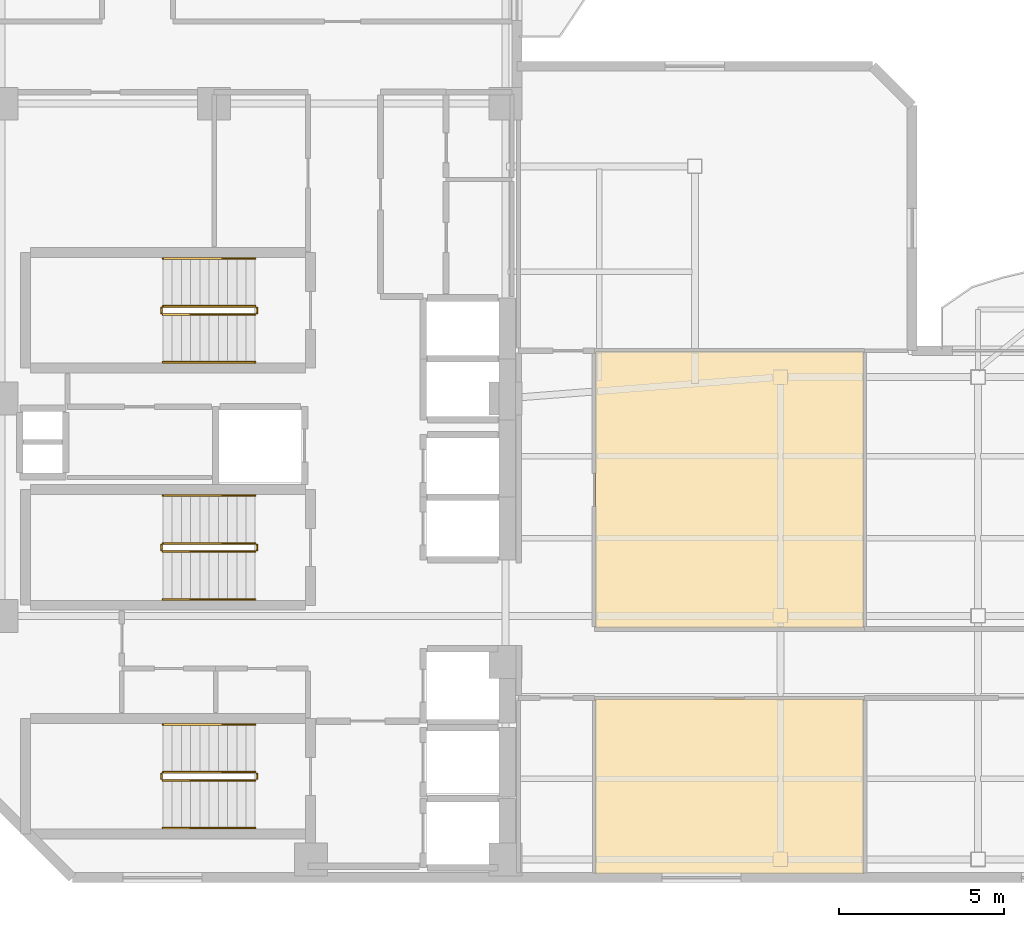
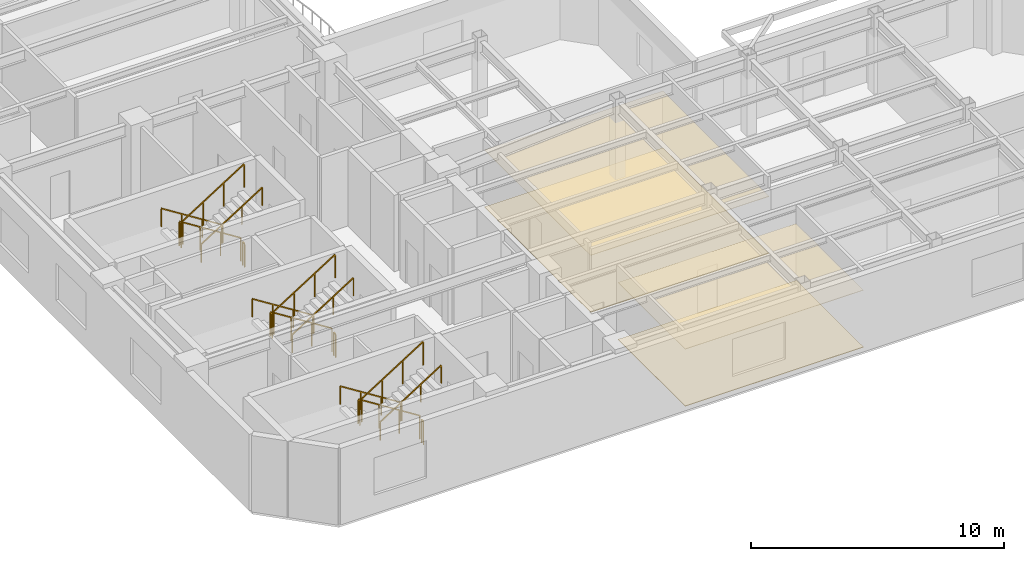
# One storey, part 7 of 9: 18 railings, 4 coverings.
"""IFC4 building model written with IfcOpenShell, lengths in metres."""

from ifc_helpers import new_model, si_unit, direction, frame, origin, origin_2d, place, context, subcontext, project, spatial, polyline, rectangle, outline, extrude, material, layer, layer_set, type_object, element, save


model = new_model("IFC4")

# Units and contexts
model_context = context("Model", 3, precision=1e-05, world=origin(), true_north=direction((0.0, 1.0)))
body_context = subcontext(model_context, "Body", "Model", "MODEL_VIEW")
ifc_project = project(units=[si_unit("LENGTHUNIT", "METRE"), si_unit("AREAUNIT", "SQUARE_METRE"), si_unit("VOLUMEUNIT", "CUBIC_METRE"), si_unit("PLANEANGLEUNIT", "RADIAN"), si_unit("MASSUNIT", "GRAM", prefix="KILO")], contexts=[model_context])

# Site, building, storey
site_placement = place(None, origin())
site = spatial("IfcSite", under=ifc_project, at=site_placement, CompositionType="ELEMENT")
building_placement = place(site_placement, origin())
building = spatial("IfcBuilding", under=site, at=building_placement, Name="Mawjaban Terraces University", CompositionType="ELEMENT")
storey_placement = place(building_placement, frame((0.0, 0.0, 179.699951171875)))
storey = spatial("IfcBuildingStorey", under=building, at=storey_placement, Name="L43", CompositionType="ELEMENT", Elevation=179.699951171875)

# Coverings
ifc_material_1 = material(Name="Acoustic mineral fibre ceiling tile", Category="masonry")
ifc_layer_1 = layer(ifc_material_1, 0.02001953125)
ifc_layer_set_1 = layer_set([ifc_layer_1], Name="Acoustic mineral fibre ceiling tile")
covering_type_1 = type_object("IfcCoveringType", Name="AcousticMineralCeiling_20", PredefinedType="CEILING", material=ifc_layer_set_1)
covering_1_placement = place(storey_placement, frame((0.0, 0.0, 2.75)))
element("IfcCovering", 1, at=covering_1_placement, inside=storey, type_object=covering_type_1, Name="L43 Seminar Room 2 Acoustic Ceiling", PredefinedType="CEILING", context=body_context, shape_type="SweptSolid", body=[
    extrude(outline(polyline([(40.3798828125, 0.114990234375), (48.52001953125, 0.114990234375), (48.52001953125, 5.419921875), (40.3798828125, 5.419921875), (40.3798828125, 0.114990234375)])), origin(), (0.0, 0.0, 1.0), 0.02001953125),
])
covering_2_placement = place(storey_placement, frame((0.0, 0.0, 2.75)))
element("IfcCovering", 2, at=covering_2_placement, inside=storey, type_object=covering_type_1, Name="L43 Classroom 3 Acoustic Ceiling", PredefinedType="CEILING", context=body_context, shape_type="SweptSolid", body=[
    extrude(outline(polyline([(48.52001953125, 7.580078125), (48.52001953125, 15.969970703125), (40.3798828125, 15.969970703125), (40.3798828125, 7.580078125), (48.52001953125, 7.580078125)])), origin(), (0.0, 0.0, 1.0), 0.02001953125),
])

# Railings
ifc_material_2 = material(Name="Brushed stainless steel 316", Category="steel")
railing_type_1 = type_object("IfcRailingType", Name="StairWallHandrail_900", PredefinedType="HANDRAIL", material=ifc_material_2)
railing_1_placement = place(storey_placement, frame((30.050048828125, 4.64990234375, 0.17724609375)))
element("IfcRailing", 3, at=railing_1_placement, inside=storey, type_object=railing_type_1, Name="L43 ST-1 stair handrail 1", PredefinedType="HANDRAIL", context=body_context, shape_type="SweptSolid", body=[
    extrude(rectangle(XDim=0.048095703125, YDim=0.048095703125, at=origin_2d()), frame((0.0, 0.0, 0.8759765625), z_axis=(-0.844908973607, 0.0, 0.534910110503), x_axis=(0.0, -1.0, 0.0)), (0.0, 0.0, 1.0), 3.31396484375),
    extrude(rectangle(XDim=0.0419921875, YDim=0.0419921875, at=origin_2d()), origin(), (0.0, 0.0, 1.0), 0.851806640625),
    extrude(rectangle(XDim=0.0419921875, YDim=0.0419921875, at=origin_2d()), frame((-0.933349609375, 0.0, 0.5908203125)), (0.0, 0.0, 1.0), 0.851806640625),
    extrude(rectangle(XDim=0.0419921875, YDim=0.0419921875, at=origin_2d()), frame((-1.86669921875, 0.0, 1.181884765625)), (0.0, 0.0, 1.0), 0.851806640625),
    extrude(rectangle(XDim=0.0419921875, YDim=0.0419921875, at=origin_2d()), frame((-2.800048828125, 0.0, 1.772705078125)), (0.0, 0.0, 1.0), 0.851806640625),
])
railing_2_placement = place(storey_placement, frame((27.25, 1.5, 2.12744140625)))
element("IfcRailing", 4, at=railing_2_placement, inside=storey, type_object=railing_type_1, Name="L43 ST-1 stair handrail 2", PredefinedType="HANDRAIL", context=body_context, shape_type="SweptSolid", body=[
    extrude(rectangle(XDim=0.048095703125, YDim=0.048095703125, at=origin_2d()), frame((0.0, 0.0, 0.8759765625), z_axis=(0.844908973607, 0.0, 0.534910110503), x_axis=(0.0, 1.0, 0.0)), (0.0, 0.0, 1.0), 3.31396484375),
    extrude(rectangle(XDim=0.0419921875, YDim=0.0419921875, at=origin_2d()), origin(), (0.0, 0.0, 1.0), 0.851806640625),
    extrude(rectangle(XDim=0.0419921875, YDim=0.0419921875, at=origin_2d()), frame((0.933349609375, 0.0, 0.5908203125)), (0.0, 0.0, 1.0), 0.851806640625),
    extrude(rectangle(XDim=0.0419921875, YDim=0.0419921875, at=origin_2d()), frame((1.86669921875, 0.0, 1.181884765625)), (0.0, 0.0, 1.0), 0.851806640625),
    extrude(rectangle(XDim=0.0419921875, YDim=0.0419921875, at=origin_2d()), frame((2.800048828125, 0.0, 1.772705078125)), (0.0, 0.0, 1.0), 0.851806640625),
])
railing_3_placement = place(storey_placement, frame((30.050048828125, 18.800048828125, 0.17724609375)))
element("IfcRailing", 5, at=railing_3_placement, inside=storey, type_object=railing_type_1, Name="L43 ST-2 stair handrail 1", PredefinedType="HANDRAIL", context=body_context, shape_type="SweptSolid", body=[
    extrude(rectangle(XDim=0.048095703125, YDim=0.048095703125, at=origin_2d()), frame((0.0, 0.0, 0.8759765625), z_axis=(-0.844908973607, 0.0, 0.534910110503), x_axis=(0.0, -1.0, 0.0)), (0.0, 0.0, 1.0), 3.31396484375),
    extrude(rectangle(XDim=0.0419921875, YDim=0.0419921875, at=origin_2d()), origin(), (0.0, 0.0, 1.0), 0.851806640625),
    extrude(rectangle(XDim=0.0419921875, YDim=0.0419921875, at=origin_2d()), frame((-0.933349609375, 0.0, 0.5908203125)), (0.0, 0.0, 1.0), 0.851806640625),
    extrude(rectangle(XDim=0.0419921875, YDim=0.0419921875, at=origin_2d()), frame((-1.86669921875, 0.0, 1.181884765625)), (0.0, 0.0, 1.0), 0.851806640625),
    extrude(rectangle(XDim=0.0419921875, YDim=0.0419921875, at=origin_2d()), frame((-2.800048828125, 0.0, 1.772705078125)), (0.0, 0.0, 1.0), 0.851806640625),
])
railing_4_placement = place(storey_placement, frame((27.25, 15.64990234375, 2.12744140625)))
element("IfcRailing", 6, at=railing_4_placement, inside=storey, type_object=railing_type_1, Name="L43 ST-2 stair handrail 2", PredefinedType="HANDRAIL", context=body_context, shape_type="SweptSolid", body=[
    extrude(rectangle(XDim=0.048095703125, YDim=0.048095703125, at=origin_2d()), frame((0.0, 0.0, 0.8759765625), z_axis=(0.844908973607, 0.0, 0.534910110503), x_axis=(0.0, 1.0, 0.0)), (0.0, 0.0, 1.0), 3.31396484375),
    extrude(rectangle(XDim=0.0419921875, YDim=0.0419921875, at=origin_2d()), origin(), (0.0, 0.0, 1.0), 0.851806640625),
    extrude(rectangle(XDim=0.0419921875, YDim=0.0419921875, at=origin_2d()), frame((0.933349609375, 0.0, 0.5908203125)), (0.0, 0.0, 1.0), 0.851806640625),
    extrude(rectangle(XDim=0.0419921875, YDim=0.0419921875, at=origin_2d()), frame((1.86669921875, 0.0, 1.181884765625)), (0.0, 0.0, 1.0), 0.851806640625),
    extrude(rectangle(XDim=0.0419921875, YDim=0.0419921875, at=origin_2d()), frame((2.800048828125, 0.0, 1.772705078125)), (0.0, 0.0, 1.0), 0.851806640625),
])
railing_5_placement = place(storey_placement, frame((30.050048828125, 11.60009765625, 0.17724609375)))
element("IfcRailing", 7, at=railing_5_placement, inside=storey, type_object=railing_type_1, Name="L43 ST-3 stair handrail 1", PredefinedType="HANDRAIL", context=body_context, shape_type="SweptSolid", body=[
    extrude(rectangle(XDim=0.048095703125, YDim=0.048095703125, at=origin_2d()), frame((0.0, 0.0, 0.8759765625), z_axis=(-0.844908973607, 0.0, 0.534910110503), x_axis=(0.0, -1.0, 0.0)), (0.0, 0.0, 1.0), 3.31396484375),
    extrude(rectangle(XDim=0.0419921875, YDim=0.0419921875, at=origin_2d()), origin(), (0.0, 0.0, 1.0), 0.851806640625),
    extrude(rectangle(XDim=0.0419921875, YDim=0.0419921875, at=origin_2d()), frame((-0.933349609375, 0.0, 0.5908203125)), (0.0, 0.0, 1.0), 0.851806640625),
    extrude(rectangle(XDim=0.0419921875, YDim=0.0419921875, at=origin_2d()), frame((-1.86669921875, 0.0, 1.181884765625)), (0.0, 0.0, 1.0), 0.851806640625),
    extrude(rectangle(XDim=0.0419921875, YDim=0.0419921875, at=origin_2d()), frame((-2.800048828125, 0.0, 1.772705078125)), (0.0, 0.0, 1.0), 0.851806640625),
])
railing_6_placement = place(storey_placement, frame((27.25, 8.449951171875, 2.12744140625)))
element("IfcRailing", 8, at=railing_6_placement, inside=storey, type_object=railing_type_1, Name="L43 ST-3 stair handrail 2", PredefinedType="HANDRAIL", context=body_context, shape_type="SweptSolid", body=[
    extrude(rectangle(XDim=0.048095703125, YDim=0.048095703125, at=origin_2d()), frame((0.0, 0.0, 0.8759765625), z_axis=(0.844908973607, 0.0, 0.534910110503), x_axis=(0.0, 1.0, 0.0)), (0.0, 0.0, 1.0), 3.31396484375),
    extrude(rectangle(XDim=0.0419921875, YDim=0.0419921875, at=origin_2d()), origin(), (0.0, 0.0, 1.0), 0.851806640625),
    extrude(rectangle(XDim=0.0419921875, YDim=0.0419921875, at=origin_2d()), frame((0.933349609375, 0.0, 0.5908203125)), (0.0, 0.0, 1.0), 0.851806640625),
    extrude(rectangle(XDim=0.0419921875, YDim=0.0419921875, at=origin_2d()), frame((1.86669921875, 0.0, 1.181884765625)), (0.0, 0.0, 1.0), 0.851806640625),
    extrude(rectangle(XDim=0.0419921875, YDim=0.0419921875, at=origin_2d()), frame((2.800048828125, 0.0, 1.772705078125)), (0.0, 0.0, 1.0), 0.851806640625),
])
ifc_material_3 = material(Name="Galvanised painted steel S355", Category="steel")
railing_type_2 = type_object("IfcRailingType", Name="StairWellGuard_1150", PredefinedType="BALUSTRADE", material=ifc_material_3)
railing_7_placement = place(storey_placement, frame((30.050048828125, 3.199951171875, 0.17724609375)))
element("IfcRailing", 9, at=railing_7_placement, inside=storey, type_object=railing_type_2, Name="L43 ST-1 stair guard 1", PredefinedType="BALUSTRADE", context=body_context, shape_type="SweptSolid", body=[
    extrude(rectangle(XDim=0.048095703125, YDim=0.048095703125, at=origin_2d()), frame((0.0, 0.0, 1.1259765625), z_axis=(-0.844908973607, 0.0, 0.534910110503), x_axis=(0.0, -1.0, 0.0)), (0.0, 0.0, 1.0), 3.31396484375),
    extrude(rectangle(XDim=0.0419921875, YDim=0.0419921875, at=origin_2d()), origin(), (0.0, 0.0, 1.0), 1.101806640625),
    extrude(rectangle(XDim=0.0419921875, YDim=0.0419921875, at=origin_2d()), frame((-0.933349609375, 0.0, 0.5908203125)), (0.0, 0.0, 1.0), 1.101806640625),
    extrude(rectangle(XDim=0.0419921875, YDim=0.0419921875, at=origin_2d()), frame((-1.86669921875, 0.0, 1.181884765625)), (0.0, 0.0, 1.0), 1.101806640625),
    extrude(rectangle(XDim=0.0419921875, YDim=0.0419921875, at=origin_2d()), frame((-2.800048828125, 0.0, 1.772705078125)), (0.0, 0.0, 1.0), 1.101806640625),
])
railing_8_placement = place(storey_placement, frame((27.199951171875, 3.14990234375, 1.949951171875)))
element("IfcRailing", 10, at=railing_8_placement, inside=storey, type_object=railing_type_2, Name="L43 ST-1 stair guard 2", PredefinedType="BALUSTRADE", context=body_context, shape_type="SweptSolid", body=[
    extrude(rectangle(XDim=0.048095703125, YDim=0.048095703125, at=origin_2d()), frame((0.0, 0.0, 1.1259765625), z_axis=(0.0, -1.0, 0.0), x_axis=(1.0, 0.0, 0.0)), (0.0, 0.0, 1.0), 0.14990234375),
    extrude(rectangle(XDim=0.0419921875, YDim=0.0419921875, at=origin_2d()), origin(), (0.0, 0.0, 1.0), 1.101806640625),
    extrude(rectangle(XDim=0.0419921875, YDim=0.0419921875, at=origin_2d()), frame((0.0, -0.14990234375, 0.0)), (0.0, 0.0, 1.0), 1.101806640625),
])
railing_9_placement = place(storey_placement, frame((27.25, 2.949951171875, 2.12744140625)))
element("IfcRailing", 11, at=railing_9_placement, inside=storey, type_object=railing_type_2, Name="L43 ST-1 stair guard 3", PredefinedType="BALUSTRADE", context=body_context, shape_type="SweptSolid", body=[
    extrude(rectangle(XDim=0.048095703125, YDim=0.048095703125, at=origin_2d()), frame((0.0, 0.0, 1.1259765625), z_axis=(0.844908973607, 0.0, 0.534910110503), x_axis=(0.0, 1.0, 0.0)), (0.0, 0.0, 1.0), 3.31396484375),
    extrude(rectangle(XDim=0.0419921875, YDim=0.0419921875, at=origin_2d()), origin(), (0.0, 0.0, 1.0), 1.101806640625),
    extrude(rectangle(XDim=0.0419921875, YDim=0.0419921875, at=origin_2d()), frame((0.933349609375, 0.0, 0.5908203125)), (0.0, 0.0, 1.0), 1.101806640625),
    extrude(rectangle(XDim=0.0419921875, YDim=0.0419921875, at=origin_2d()), frame((1.86669921875, 0.0, 1.181884765625)), (0.0, 0.0, 1.0), 1.101806640625),
    extrude(rectangle(XDim=0.0419921875, YDim=0.0419921875, at=origin_2d()), frame((2.800048828125, 0.0, 1.772705078125)), (0.0, 0.0, 1.0), 1.101806640625),
])
railing_10_placement = place(storey_placement, frame((30.10009765625, 3.14990234375, 0.0)))
element("IfcRailing", 12, at=railing_10_placement, inside=storey, type_object=railing_type_2, Name="L43 ST-1 stair guard 4", PredefinedType="BALUSTRADE", context=body_context, shape_type="SweptSolid", body=[
    extrude(rectangle(XDim=0.048095703125, YDim=0.048095703125, at=origin_2d()), frame((0.0, 0.0, 1.1259765625), z_axis=(0.0, -1.0, 0.0), x_axis=(1.0, 0.0, 0.0)), (0.0, 0.0, 1.0), 0.14990234375),
    extrude(rectangle(XDim=0.0419921875, YDim=0.0419921875, at=origin_2d()), origin(), (0.0, 0.0, 1.0), 1.101806640625),
    extrude(rectangle(XDim=0.0419921875, YDim=0.0419921875, at=origin_2d()), frame((0.0, -0.14990234375, 0.0)), (0.0, 0.0, 1.0), 1.101806640625),
])
railing_11_placement = place(storey_placement, frame((30.050048828125, 17.35009765625, 0.17724609375)))
element("IfcRailing", 13, at=railing_11_placement, inside=storey, type_object=railing_type_2, Name="L43 ST-2 stair guard 1", PredefinedType="BALUSTRADE", context=body_context, shape_type="SweptSolid", body=[
    extrude(rectangle(XDim=0.048095703125, YDim=0.048095703125, at=origin_2d()), frame((0.0, 0.0, 1.1259765625), z_axis=(-0.844908973607, 0.0, 0.534910110503), x_axis=(0.0, -1.0, 0.0)), (0.0, 0.0, 1.0), 3.31396484375),
    extrude(rectangle(XDim=0.0419921875, YDim=0.0419921875, at=origin_2d()), origin(), (0.0, 0.0, 1.0), 1.101806640625),
    extrude(rectangle(XDim=0.0419921875, YDim=0.0419921875, at=origin_2d()), frame((-0.933349609375, 0.0, 0.5908203125)), (0.0, 0.0, 1.0), 1.101806640625),
    extrude(rectangle(XDim=0.0419921875, YDim=0.0419921875, at=origin_2d()), frame((-1.86669921875, 0.0, 1.181884765625)), (0.0, 0.0, 1.0), 1.101806640625),
    extrude(rectangle(XDim=0.0419921875, YDim=0.0419921875, at=origin_2d()), frame((-2.800048828125, 0.0, 1.772705078125)), (0.0, 0.0, 1.0), 1.101806640625),
])
railing_12_placement = place(storey_placement, frame((27.199951171875, 17.300048828125, 1.949951171875)))
element("IfcRailing", 14, at=railing_12_placement, inside=storey, type_object=railing_type_2, Name="L43 ST-2 stair guard 2", PredefinedType="BALUSTRADE", context=body_context, shape_type="SweptSolid", body=[
    extrude(rectangle(XDim=0.048095703125, YDim=0.048095703125, at=origin_2d()), frame((0.0, 0.0, 1.1259765625), z_axis=(0.0, -1.0, 0.0), x_axis=(1.0, 0.0, 0.0)), (0.0, 0.0, 1.0), 0.150146484375),
    extrude(rectangle(XDim=0.0419921875, YDim=0.0419921875, at=origin_2d()), origin(), (0.0, 0.0, 1.0), 1.101806640625),
    extrude(rectangle(XDim=0.0419921875, YDim=0.0419921875, at=origin_2d()), frame((0.0, -0.150146484375, 0.0)), (0.0, 0.0, 1.0), 1.101806640625),
])
railing_13_placement = place(storey_placement, frame((27.25, 17.10009765625, 2.12744140625)))
element("IfcRailing", 15, at=railing_13_placement, inside=storey, type_object=railing_type_2, Name="L43 ST-2 stair guard 3", PredefinedType="BALUSTRADE", context=body_context, shape_type="SweptSolid", body=[
    extrude(rectangle(XDim=0.048095703125, YDim=0.048095703125, at=origin_2d()), frame((0.0, 0.0, 1.1259765625), z_axis=(0.844908973607, 0.0, 0.534910110503), x_axis=(0.0, 1.0, 0.0)), (0.0, 0.0, 1.0), 3.31396484375),
    extrude(rectangle(XDim=0.0419921875, YDim=0.0419921875, at=origin_2d()), origin(), (0.0, 0.0, 1.0), 1.101806640625),
    extrude(rectangle(XDim=0.0419921875, YDim=0.0419921875, at=origin_2d()), frame((0.933349609375, 0.0, 0.5908203125)), (0.0, 0.0, 1.0), 1.101806640625),
    extrude(rectangle(XDim=0.0419921875, YDim=0.0419921875, at=origin_2d()), frame((1.86669921875, 0.0, 1.181884765625)), (0.0, 0.0, 1.0), 1.101806640625),
    extrude(rectangle(XDim=0.0419921875, YDim=0.0419921875, at=origin_2d()), frame((2.800048828125, 0.0, 1.772705078125)), (0.0, 0.0, 1.0), 1.101806640625),
])
railing_14_placement = place(storey_placement, frame((30.10009765625, 17.300048828125, 0.0)))
element("IfcRailing", 16, at=railing_14_placement, inside=storey, type_object=railing_type_2, Name="L43 ST-2 stair guard 4", PredefinedType="BALUSTRADE", context=body_context, shape_type="SweptSolid", body=[
    extrude(rectangle(XDim=0.048095703125, YDim=0.048095703125, at=origin_2d()), frame((0.0, 0.0, 1.1259765625), z_axis=(0.0, -1.0, 0.0), x_axis=(1.0, 0.0, 0.0)), (0.0, 0.0, 1.0), 0.150146484375),
    extrude(rectangle(XDim=0.0419921875, YDim=0.0419921875, at=origin_2d()), origin(), (0.0, 0.0, 1.0), 1.101806640625),
    extrude(rectangle(XDim=0.0419921875, YDim=0.0419921875, at=origin_2d()), frame((0.0, -0.150146484375, 0.0)), (0.0, 0.0, 1.0), 1.101806640625),
])
railing_15_placement = place(storey_placement, frame((30.050048828125, 10.14990234375, 0.17724609375)))
element("IfcRailing", 17, at=railing_15_placement, inside=storey, type_object=railing_type_2, Name="L43 ST-3 stair guard 1", PredefinedType="BALUSTRADE", context=body_context, shape_type="SweptSolid", body=[
    extrude(rectangle(XDim=0.048095703125, YDim=0.048095703125, at=origin_2d()), frame((0.0, 0.0, 1.1259765625), z_axis=(-0.844908973607, 0.0, 0.534910110503), x_axis=(0.0, -1.0, 0.0)), (0.0, 0.0, 1.0), 3.31396484375),
    extrude(rectangle(XDim=0.0419921875, YDim=0.0419921875, at=origin_2d()), origin(), (0.0, 0.0, 1.0), 1.101806640625),
    extrude(rectangle(XDim=0.0419921875, YDim=0.0419921875, at=origin_2d()), frame((-0.933349609375, 0.0, 0.5908203125)), (0.0, 0.0, 1.0), 1.101806640625),
    extrude(rectangle(XDim=0.0419921875, YDim=0.0419921875, at=origin_2d()), frame((-1.86669921875, 0.0, 1.181884765625)), (0.0, 0.0, 1.0), 1.101806640625),
    extrude(rectangle(XDim=0.0419921875, YDim=0.0419921875, at=origin_2d()), frame((-2.800048828125, 0.0, 1.772705078125)), (0.0, 0.0, 1.0), 1.101806640625),
])
railing_16_placement = place(storey_placement, frame((27.199951171875, 10.10009765625, 1.949951171875)))
element("IfcRailing", 18, at=railing_16_placement, inside=storey, type_object=railing_type_2, Name="L43 ST-3 stair guard 2", PredefinedType="BALUSTRADE", context=body_context, shape_type="SweptSolid", body=[
    extrude(rectangle(XDim=0.048095703125, YDim=0.048095703125, at=origin_2d()), frame((0.0, 0.0, 1.1259765625), z_axis=(0.0, -1.0, 0.0), x_axis=(1.0, 0.0, 0.0)), (0.0, 0.0, 1.0), 0.150146484375),
    extrude(rectangle(XDim=0.0419921875, YDim=0.0419921875, at=origin_2d()), origin(), (0.0, 0.0, 1.0), 1.101806640625),
    extrude(rectangle(XDim=0.0419921875, YDim=0.0419921875, at=origin_2d()), frame((0.0, -0.150146484375, 0.0)), (0.0, 0.0, 1.0), 1.101806640625),
])
railing_17_placement = place(storey_placement, frame((27.25, 9.89990234375, 2.12744140625)))
element("IfcRailing", 19, at=railing_17_placement, inside=storey, type_object=railing_type_2, Name="L43 ST-3 stair guard 3", PredefinedType="BALUSTRADE", context=body_context, shape_type="SweptSolid", body=[
    extrude(rectangle(XDim=0.048095703125, YDim=0.048095703125, at=origin_2d()), frame((0.0, 0.0, 1.1259765625), z_axis=(0.844908973607, 0.0, 0.534910110503), x_axis=(0.0, 1.0, 0.0)), (0.0, 0.0, 1.0), 3.31396484375),
    extrude(rectangle(XDim=0.0419921875, YDim=0.0419921875, at=origin_2d()), origin(), (0.0, 0.0, 1.0), 1.101806640625),
    extrude(rectangle(XDim=0.0419921875, YDim=0.0419921875, at=origin_2d()), frame((0.933349609375, 0.0, 0.5908203125)), (0.0, 0.0, 1.0), 1.101806640625),
    extrude(rectangle(XDim=0.0419921875, YDim=0.0419921875, at=origin_2d()), frame((1.86669921875, 0.0, 1.181884765625)), (0.0, 0.0, 1.0), 1.101806640625),
    extrude(rectangle(XDim=0.0419921875, YDim=0.0419921875, at=origin_2d()), frame((2.800048828125, 0.0, 1.772705078125)), (0.0, 0.0, 1.0), 1.101806640625),
])
railing_18_placement = place(storey_placement, frame((30.10009765625, 10.10009765625, 0.0)))
element("IfcRailing", 20, at=railing_18_placement, inside=storey, type_object=railing_type_2, Name="L43 ST-3 stair guard 4", PredefinedType="BALUSTRADE", context=body_context, shape_type="SweptSolid", body=[
    extrude(rectangle(XDim=0.048095703125, YDim=0.048095703125, at=origin_2d()), frame((0.0, 0.0, 1.1259765625), z_axis=(0.0, -1.0, 0.0), x_axis=(1.0, 0.0, 0.0)), (0.0, 0.0, 1.0), 0.150146484375),
    extrude(rectangle(XDim=0.0419921875, YDim=0.0419921875, at=origin_2d()), origin(), (0.0, 0.0, 1.0), 1.101806640625),
    extrude(rectangle(XDim=0.0419921875, YDim=0.0419921875, at=origin_2d()), frame((0.0, -0.150146484375, 0.0)), (0.0, 0.0, 1.0), 1.101806640625),
])

# Coverings
ifc_material_4 = material(Name="Polished Hijazi granite terrazzo flooring", Category="masonry")
ifc_layer_2 = layer(ifc_material_4, 0.02490234375)
ifc_layer_set_2 = layer_set([ifc_layer_2], Name="Polished Hijazi granite terrazzo flooring")
covering_type_2 = type_object("IfcCoveringType", Name="TerrazzoConcourseFlooring_25", PredefinedType="FLOORING", material=ifc_layer_set_2)
covering_3_placement = place(storey_placement, origin())
element("IfcCovering", 21, at=covering_3_placement, inside=storey, type_object=covering_type_2, Name="L43 Seminar Room 2 Terrazzo Flooring", PredefinedType="FLOORING", context=body_context, shape_type="SweptSolid", body=[
    extrude(outline(polyline([(40.3798828125, 0.114990234375), (48.52001953125, 0.114990234375), (48.52001953125, 5.419921875), (40.3798828125, 5.419921875), (40.3798828125, 0.114990234375)])), origin(), (0.0, 0.0, 1.0), 0.025146484375),
])
covering_4_placement = place(storey_placement, origin())
element("IfcCovering", 22, at=covering_4_placement, inside=storey, type_object=covering_type_2, Name="L43 Classroom 3 Terrazzo Flooring", PredefinedType="FLOORING", context=body_context, shape_type="SweptSolid", body=[
    extrude(outline(polyline([(48.52001953125, 7.580078125), (48.52001953125, 15.969970703125), (40.3798828125, 15.969970703125), (40.3798828125, 7.580078125), (48.52001953125, 7.580078125)])), origin(), (0.0, 0.0, 1.0), 0.025146484375),
])

save(model, "model.ifc")
